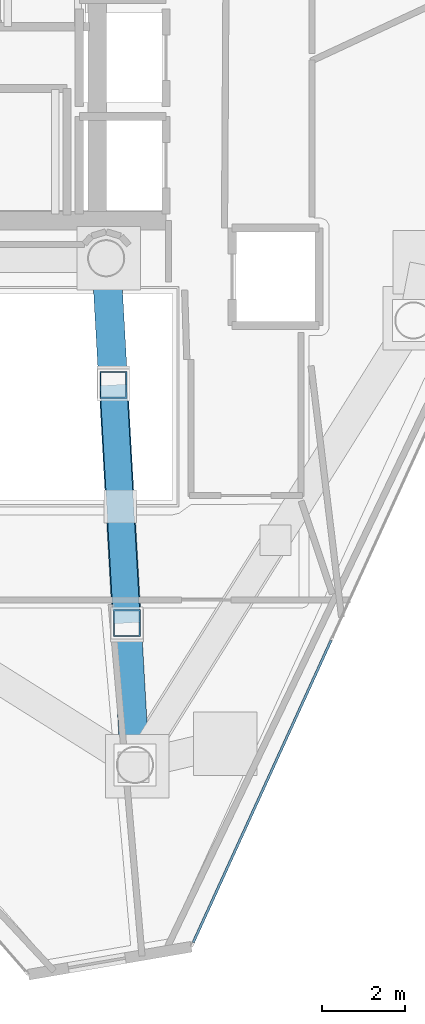
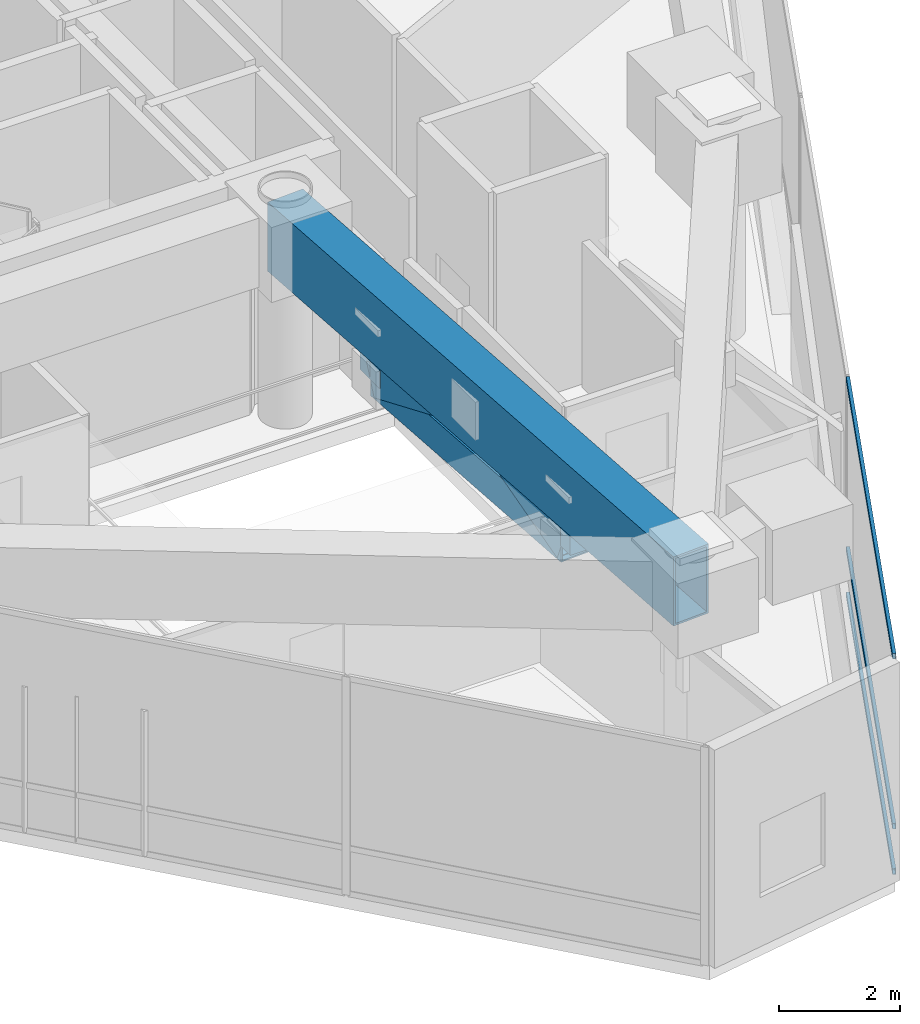
# One storey, part 5 of 20: 8 members, 1 beam, 1 element without a shape of its own.
"""IFC4 building model written with IfcOpenShell, lengths in metres."""

import ifcopenshell
import ifcopenshell.guid

model = None  # the IFC model being written
_history = None  # IfcOwnerHistory: only IFC2X3 demands one
_inside = {}  # id of a spatial element -> (the spatial element, [elements in it])
_under = {}  # id of a project, library or spatial element -> (it, [spatial elements below it])
_declared = {}  # id of a project -> (the project, [libraries it declares])
_typed = {}  # id of a type object -> (the type object, [elements of that type])
_made_of = {}  # id of a material, layer set ... -> (it, [elements and type objects made of it])


def new_model(schema):
    """Start an empty IFC model of exactly this schema.

    Asked for "IFC4X3", IfcOpenShell would pick the latest addendum, in which some entities
    have other attributes; the version numbers below select the first issue.
    IFC2X3 requires an IfcOwnerHistory on every rooted entity: one is made here for all.
    """
    global model, _history
    if schema == "IFC4X3":
        model = ifcopenshell.file(schema_version=(4, 3, 0, 0))
    else:
        model = ifcopenshell.file(schema=schema)
    _inside.clear()
    _under.clear()
    _declared.clear()
    _typed.clear()
    _made_of.clear()
    _history = None
    if model.schema == "IFC2X3":
        org = make("IfcOrganization", Name="unknown")
        user = make(
            "IfcPersonAndOrganization",
            ThePerson=make("IfcPerson", FamilyName="unknown"),
            TheOrganization=org,
        )
        app = make(
            "IfcApplication",
            ApplicationDeveloper=org,
            Version="unknown",
            ApplicationFullName="unknown",
            ApplicationIdentifier="unknown",
        )
        _history = make(
            "IfcOwnerHistory",
            OwningUser=user,
            OwningApplication=app,
            ChangeAction="ADDED",
            CreationDate=0,
        )
    return model


def make(cls, **values):
    """One entity of the class cls with the attributes given. An attribute that is None is left unset."""
    return model.create_entity(
        cls, **{name: value for name, value in values.items() if value is not None}
    )


def rooted(cls, **values):
    """An entity with a GlobalId (a new one), such as an element, a storey or a relation."""
    return make(cls, GlobalId=ifcopenshell.guid.new(), OwnerHistory=_history, **values)


def si_unit(unit_type, name, prefix=None):
    """IfcSIUnit, for example si_unit("LENGTHUNIT", "METRE", prefix="MILLI")."""
    return make("IfcSIUnit", UnitType=unit_type, Prefix=prefix, Name=name)


def assignment(units):
    """IfcUnitAssignment: the units of a project."""
    return None if units is None else make("IfcUnitAssignment", Units=units)


def point(xyz):
    """IfcCartesianPoint."""
    return None if xyz is None else make("IfcCartesianPoint", Coordinates=xyz)


def direction(xyz):
    """IfcDirection."""
    return None if xyz is None else make("IfcDirection", DirectionRatios=xyz)


def frame(location, z_axis=None, x_axis=None):
    """IfcAxis2Placement3D, a coordinate frame: its origin and axes. An axis left out is left unset."""
    return make(
        "IfcAxis2Placement3D",
        Location=point(location),
        Axis=direction(z_axis),
        RefDirection=direction(x_axis),
    )


def frame_2d(location, x_axis=None):
    """IfcAxis2Placement2D, a coordinate frame in the plane: its origin and x axis."""
    return make(
        "IfcAxis2Placement2D", Location=point(location), RefDirection=direction(x_axis)
    )


def origin():
    """The frame at (0, 0, 0) with its axes left unset."""
    return frame((0.0, 0.0, 0.0))


def origin_2d():
    """The frame at (0, 0) in the plane with its x axis left unset."""
    return frame_2d((0.0, 0.0))


def place(relative_to, where):
    """IfcLocalPlacement: puts the frame where relative to a parent placement (None: the world)."""
    return make(
        "IfcLocalPlacement", PlacementRelTo=relative_to, RelativePlacement=where
    )


def context(
    kind, dimensions, precision=None, world=None, true_north=None, identifier=None
):
    """IfcGeometricRepresentationContext, for example the 3D "Model" context."""
    return make(
        "IfcGeometricRepresentationContext",
        ContextIdentifier=identifier,
        ContextType=kind,
        CoordinateSpaceDimension=dimensions,
        Precision=precision,
        WorldCoordinateSystem=world,
        TrueNorth=true_north,
    )


def subcontext(parent, identifier, kind, view, scale=None):
    """IfcGeometricRepresentationSubContext, for example "Body" below "Model"."""
    return make(
        "IfcGeometricRepresentationSubContext",
        ContextIdentifier=identifier,
        ContextType=kind,
        ParentContext=parent,
        TargetScale=scale,
        TargetView=view,
    )


def project(units=None, contexts=None):
    """IfcProject with its units and contexts."""
    return rooted(
        "IfcProject",
        Name="project",
        RepresentationContexts=contexts,
        UnitsInContext=assignment(units),
    )


def spatial(cls, under=None, at=None, **own):
    """A site, building, storey or space (cls), placed at a placement, below another one or the project."""
    s = rooted(cls, ObjectPlacement=at, **own)
    if under is not None:
        _under.setdefault(under.id(), (under, []))[1].append(s)
    return s


def profile(cls, at=None, kind="AREA", **sizes):
    """A parametric profile (cls). Its sizes go by their IFC names, for example OverallWidth=200.0."""
    return make(cls, ProfileType=kind, Position=at, **sizes)


def hollow_rectangle(**sizes):
    """IfcRectangleHollowProfileDef."""
    return profile("IfcRectangleHollowProfileDef", **sizes)


def extrude(swept, where, along, depth):
    """IfcExtrudedAreaSolid: the profile swept, set in the frame where, extruded along a direction by depth."""
    return make(
        "IfcExtrudedAreaSolid",
        SweptArea=swept,
        Position=where,
        ExtrudedDirection=direction(along),
        Depth=depth,
    )


def shape(context_of_items, identifier, shape_type, items):
    """IfcShapeRepresentation: the items that make up one representation, for example the "Body"."""
    return make(
        "IfcShapeRepresentation",
        ContextOfItems=context_of_items,
        RepresentationIdentifier=identifier,
        RepresentationType=shape_type,
        Items=items,
    )


def material(Name=None, Category=None):
    """IfcMaterial."""
    return make("IfcMaterial", Name=Name, Category=Category)


def layer(
    of_material, thickness, ventilated=None, Name=None, Category=None, Priority=None
):
    """IfcMaterialLayer: one layer of a wall or slab, of a material (None: an air gap)."""
    return make(
        "IfcMaterialLayer",
        Material=of_material,
        LayerThickness=thickness,
        IsVentilated=ventilated,
        Name=Name,
        Category=Category,
        Priority=Priority,
    )


def layer_set(layers, Name=None):
    """IfcMaterialLayerSet."""
    return make("IfcMaterialLayerSet", MaterialLayers=layers, LayerSetName=Name)


def material_profile(
    of_material, cross_section, Name=None, Category=None, Priority=None
):
    """IfcMaterialProfile: a cross section and its material."""
    return make(
        "IfcMaterialProfile",
        Name=Name,
        Material=of_material,
        Profile=cross_section,
        Priority=Priority,
        Category=Category,
    )


def profile_set(profiles, Name=None, composite=None):
    """IfcMaterialProfileSet."""
    return make(
        "IfcMaterialProfileSet",
        Name=Name,
        MaterialProfiles=profiles,
        CompositeProfile=composite,
    )


def made_of(thing, what):
    """Note that an element or type object is made of a material, layer set ...; save() writes the relation."""
    if what is not None:
        _made_of.setdefault(what.id(), (what, []))[1].append(thing)
    return thing


def type_object(cls, material=None, **own):
    """A type object (cls), such as IfcWallType, which elements share."""
    return made_of(rooted(cls, **own), material)


def element(
    cls,
    number,
    at=None,
    inside=None,
    cuts=None,
    type_object=None,
    material=None,
    context=None,
    identifier="Body",
    shape_type=None,
    held_by="IfcProductDefinitionShape",
    body=None,
    shapes=None,
    **own,
):
    """One element of the class cls, such as IfcWall. Its Tag is "e" and its number.

    at: its placement. inside: the storey or other place that contains it. cuts: it is an
    opening in that element (IfcRelVoidsElement). A single representation is given by context,
    identifier, shape_type and body (its items); several are given by shapes. held_by: the class
    of the entity that holds the representations. save() writes the other relations.
    """
    e = rooted(cls, Tag="e%d" % number, ObjectPlacement=at, **own)
    if body is not None:
        shapes = [shape(context, identifier, shape_type, body)]
    if shapes is not None:
        e.Representation = make(held_by, Representations=shapes)
    if inside is not None:
        _inside.setdefault(inside.id(), (inside, []))[1].append(e)
    if cuts is not None:
        rooted(
            "IfcRelVoidsElement", RelatingBuildingElement=cuts, RelatedOpeningElement=e
        )
    if type_object is not None:
        _typed.setdefault(type_object.id(), (type_object, []))[1].append(e)
    return made_of(e, material)


def aggregate(whole, parts):
    """IfcRelAggregates: a whole, such as a stair, and the parts it consists of."""
    return rooted("IfcRelAggregates", RelatingObject=whole, RelatedObjects=parts)


def save(model, path):
    """Write the relations noted so far, then the file.

    IfcRelAggregates (storeys below a building ...), IfcRelContainedInSpatialStructure (elements
    in a storey), IfcRelDefinesByType, IfcRelAssociatesMaterial and IfcRelDeclares: one each for
    every whole, place, type object, material and project.
    """
    for whole, parts in _under.values():
        aggregate(whole, parts)
    for where, things in _inside.values():
        rooted(
            "IfcRelContainedInSpatialStructure",
            RelatedElements=things,
            RelatingStructure=where,
        )
    for kind, things in _typed.values():
        rooted("IfcRelDefinesByType", RelatedObjects=things, RelatingType=kind)
    for what, things in _made_of.values():
        rooted("IfcRelAssociatesMaterial", RelatedObjects=things, RelatingMaterial=what)
    for by, libraries in _declared.values():
        rooted("IfcRelDeclares", RelatingContext=by, RelatedDefinitions=libraries)
    model.write(path)


model = new_model("IFC4")

# Units and contexts
model_context = context("Model", 3, precision=1e-05, world=origin(), true_north=direction((0.0, 1.0)))
body_context = subcontext(model_context, "Body", "Model", "MODEL_VIEW")
ifc_project = project(units=[si_unit("LENGTHUNIT", "METRE"), si_unit("AREAUNIT", "SQUARE_METRE"), si_unit("VOLUMEUNIT", "CUBIC_METRE"), si_unit("PLANEANGLEUNIT", "RADIAN"), si_unit("MASSUNIT", "GRAM", prefix="KILO")], contexts=[model_context])

# Site, building, storey
site_placement = place(None, origin())
site = spatial("IfcSite", under=ifc_project, at=site_placement, CompositionType="ELEMENT")
building_placement = place(site_placement, origin())
building = spatial("IfcBuilding", under=site, at=building_placement, Name="Qianvela Tower", CompositionType="ELEMENT")
storey_placement = place(building_placement, frame((0.0, 0.0, 321.300048828125)))
storey = spatial("IfcBuildingStorey", under=building, at=storey_placement, Name="L83", CompositionType="ELEMENT", Elevation=321.300048828125)

# Beam
ifc_material_1 = material(Name="Steel Q420GJC", Category="steel")
ifc_material_profile_1 = material_profile(ifc_material_1, hollow_rectangle(XDim=0.699951171875, YDim=1.39990234375, WallThickness=0.0400390625, at=origin_2d()), Name="TG-BOX-1400x700x40")
ifc_profile_set_1 = profile_set([ifc_material_profile_1], Name="Steel Q420GJC")
beam_type = type_object("IfcBeamType", Name="BM-TG-RAD-1400", PredefinedType="BEAM", material=ifc_profile_set_1)
beam_placement = place(storey_placement, frame((38.39990234375, 23.85009765625, 3.718017578125), z_axis=(0.056672201348, -0.998392839314, 0.0), x_axis=(0.998392839314, 0.056672201348, 0.0)))
element("IfcBeam", 1, at=beam_placement, inside=storey, type_object=beam_type, Name="L83 Radial Outrigger Top Transfer Girder 5", PredefinedType="BEAM", context=body_context, shape_type="SweptSolid", body=[
    extrude(hollow_rectangle(XDim=0.699951171875, YDim=1.39990234375, WallThickness=0.0400390625, at=origin_2d()), origin(), (0.0, 0.0, 1.0), 12.281982421875),
])

# Curtain wall, members
ifc_material_2 = material(Name="Anodised Architectural Aluminium and Low-E Glass", Category="aluminium")
ifc_layer = layer(ifc_material_2, 0.14990234375)
ifc_layer_set = layer_set([ifc_layer], Name="Anodised Architectural Aluminium and Low-E Glass")
curtain_wall_type = type_object("IfcCurtainWallType", Name="CW-COLIV-Z78", PredefinedType="USERDEFINED", material=ifc_layer_set)
curtain_wall_placement = place(storey_placement, origin())
curtain_wall = element("IfcCurtainWall", 2, at=curtain_wall_placement, inside=storey, type_object=curtain_wall_type, Name="L83 CW-COLIV-Z78 Curtain Wall 06A", ObjectType="CURTAIN_WALL_SYSTEM", PredefinedType="USERDEFINED")
ifc_material_3 = material(Name="Anodised Architectural Aluminium 6063-T6", Category="aluminium")
ifc_material_profile_2 = material_profile(ifc_material_3, hollow_rectangle(XDim=0.06005859375, YDim=0.114990234375, WallThickness=0.00390625, at=origin_2d()), Name="ALU-TRAN-60x115")
ifc_profile_set_2 = profile_set([ifc_material_profile_2], Name="Anodised Architectural Aluminium 6063-T6")
member_type_1 = type_object("IfcMemberType", Name="CW-COLIV-Z78-TRAN", PredefinedType="USERDEFINED", material=ifc_profile_set_2)
member_1_placement = place(storey_placement, frame((40.505126953125, 7.286865234375, 0.030029296875), z_axis=(0.415114912753, 0.909768986727, 0.0), x_axis=(-0.909768986727, 0.415114912753, 0.0)))
member_1 = element("IfcMember", 3, at=member_1_placement, type_object=member_type_1, Name="CW-6 transom 1.1", ObjectType="TRANSOM", PredefinedType="USERDEFINED", context=body_context, shape_type="SweptSolid", body=[
    extrude(hollow_rectangle(XDim=0.06005859375, YDim=0.114990234375, WallThickness=0.00390625, at=origin_2d()), origin(), (0.0, 0.0, 1.0), 8.044921875),
])
member_2_placement = place(storey_placement, frame((40.505126953125, 7.286865234375, 0.949951171875), z_axis=(0.415114912753, 0.909768986727, 0.0), x_axis=(-0.909768986727, 0.415114912753, 0.0)))
member_2 = element("IfcMember", 4, at=member_2_placement, type_object=member_type_1, Name="CW-6 transom 1.2", ObjectType="TRANSOM", PredefinedType="USERDEFINED", context=body_context, shape_type="SweptSolid", body=[
    extrude(hollow_rectangle(XDim=0.06005859375, YDim=0.114990234375, WallThickness=0.00390625, at=origin_2d()), origin(), (0.0, 0.0, 1.0), 8.044921875),
])
member_3_placement = place(storey_placement, frame((40.505126953125, 7.286865234375, 4.389892578125), z_axis=(0.415114912753, 0.909768986727, 0.0), x_axis=(-0.909768986727, 0.415114912753, 0.0)))
member_3 = element("IfcMember", 5, at=member_3_placement, type_object=member_type_1, Name="CW-6 transom 1.3", ObjectType="TRANSOM", PredefinedType="USERDEFINED", context=body_context, shape_type="SweptSolid", body=[
    extrude(hollow_rectangle(XDim=0.06005859375, YDim=0.114990234375, WallThickness=0.00390625, at=origin_2d()), origin(), (0.0, 0.0, 1.0), 8.044921875),
])
aggregate(curtain_wall, [member_1, member_2, member_3])

# Members
ifc_material_4 = material(Name="Steel Q420GJC", Category="steel")
ifc_material_profile_3 = material_profile(ifc_material_4, hollow_rectangle(XDim=0.64990234375, YDim=0.64990234375, WallThickness=0.028076171875, at=origin_2d()), Name="OBOX-650x650x28")
ifc_profile_set_3 = profile_set([ifc_material_profile_3], Name="Steel Q420GJC")
member_type_2 = type_object("IfcMemberType", Name="MBR-OUTRIG-650", PredefinedType="BRACE", material=ifc_profile_set_3)
for number, where, z_axis, x_axis, name in (
    (6, (38.573974609375, 20.784423828125, 2.613037109375), (0.0, 0.0, 1.0), (1.0, 0.0, 0.0), "L83 Radial Outrigger Web Post 5A"),
    (7, (38.901123046875, 15.021484375, 2.613037109375), (0.0, 0.0, 1.0), (1.0, 0.0, 0.0), "L83 Radial Outrigger Web Post 5B"),
):
    element("IfcMember", number, at=place(storey_placement, frame(where, z_axis=z_axis, x_axis=x_axis)), inside=storey, type_object=member_type_2, Name=name, PredefinedType="BRACE", context=body_context, shape_type="SweptSolid", body=[
        extrude(hollow_rectangle(XDim=0.64990234375, YDim=0.64990234375, WallThickness=0.028076171875, at=origin_2d()), origin(), (0.0, 0.0, 1.0), 1.10498046875),
    ])
member_4_placement = place(storey_placement, frame((38.573974609375, 20.784423828125, 2.613037109375), z_axis=(0.056676385782, -0.998392601783, 0.0), x_axis=(0.998392601783, 0.056676385782, 0.0)))
element("IfcMember", 8, at=member_4_placement, inside=storey, type_object=member_type_2, Name="L83 Radial Outrigger Bottom Chord 5", PredefinedType="BRACE", context=body_context, shape_type="SweptSolid", body=[
    extrude(hollow_rectangle(XDim=0.64990234375, YDim=0.64990234375, WallThickness=0.028076171875, at=origin_2d()), origin(), (0.0, 0.0, 1.0), 5.772216796875),
])
member_5_placement = place(storey_placement, frame((38.573974609375, 20.784423828125, 2.613037109375), z_axis=(0.052927745147, -0.932397277559, 0.35753876796), x_axis=(0.998392737637, 0.056673992563, 0.0)))
element("IfcMember", 9, at=member_5_placement, inside=storey, type_object=member_type_2, Name="L83 Radial Outrigger Diagonal 5A", PredefinedType="BRACE", context=body_context, shape_type="SweptSolid", body=[
    extrude(hollow_rectangle(XDim=0.64990234375, YDim=0.64990234375, WallThickness=0.028076171875, at=origin_2d()), origin(), (0.0, 0.0, 1.0), 3.090576171875),
])
member_6_placement = place(storey_placement, frame((38.737548828125, 17.90283203125, 3.718017578125), z_axis=(0.052931643871, -0.932386956668, -0.357565104718), x_axis=(0.998392465911, 0.056678779204, 0.0)))
element("IfcMember", 10, at=member_6_placement, inside=storey, type_object=member_type_2, Name="L83 Radial Outrigger Diagonal 5B", PredefinedType="BRACE", context=body_context, shape_type="SweptSolid", body=[
    extrude(hollow_rectangle(XDim=0.64990234375, YDim=0.64990234375, WallThickness=0.028076171875, at=origin_2d()), origin(), (0.0, 0.0, 1.0), 3.09033203125),
])

save(model, "model.ifc")
